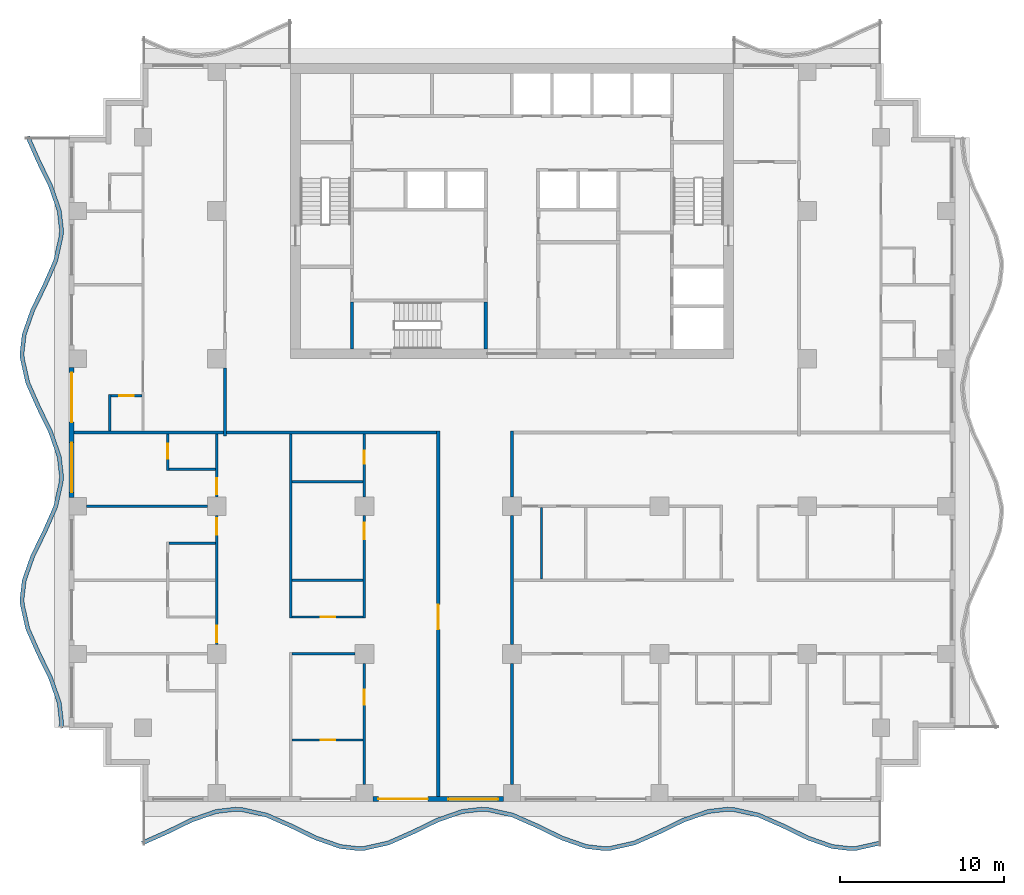
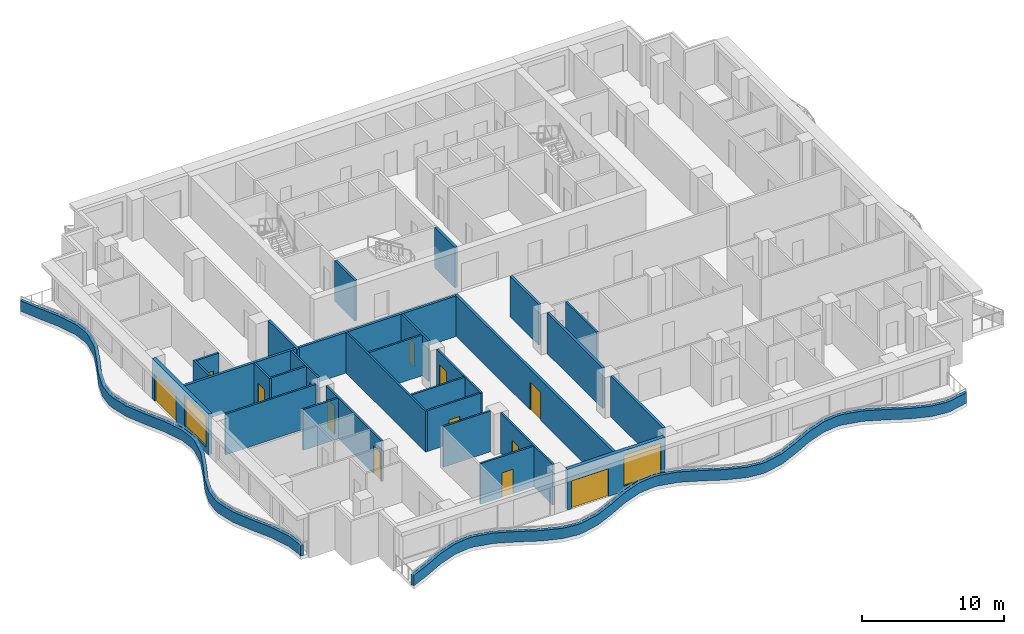
# One storey, part 2 of 11: 31 walls, 13 doors, 2 windows, 15 openings.
"""IFC4 building model written with IfcOpenShell, lengths in metres."""

import ifcopenshell
import ifcopenshell.guid

model = None  # the IFC model being written
_history = None  # IfcOwnerHistory: only IFC2X3 demands one
_inside = {}  # id of a spatial element -> (the spatial element, [elements in it])
_under = {}  # id of a project, library or spatial element -> (it, [spatial elements below it])
_declared = {}  # id of a project -> (the project, [libraries it declares])
_typed = {}  # id of a type object -> (the type object, [elements of that type])
_made_of = {}  # id of a material, layer set ... -> (it, [elements and type objects made of it])


def new_model(schema):
    """Start an empty IFC model of exactly this schema.

    Asked for "IFC4X3", IfcOpenShell would pick the latest addendum, in which some entities
    have other attributes; the version numbers below select the first issue.
    IFC2X3 requires an IfcOwnerHistory on every rooted entity: one is made here for all.
    """
    global model, _history
    if schema == "IFC4X3":
        model = ifcopenshell.file(schema_version=(4, 3, 0, 0))
    else:
        model = ifcopenshell.file(schema=schema)
    _inside.clear()
    _under.clear()
    _declared.clear()
    _typed.clear()
    _made_of.clear()
    _history = None
    if model.schema == "IFC2X3":
        org = make("IfcOrganization", Name="unknown")
        user = make(
            "IfcPersonAndOrganization",
            ThePerson=make("IfcPerson", FamilyName="unknown"),
            TheOrganization=org,
        )
        app = make(
            "IfcApplication",
            ApplicationDeveloper=org,
            Version="unknown",
            ApplicationFullName="unknown",
            ApplicationIdentifier="unknown",
        )
        _history = make(
            "IfcOwnerHistory",
            OwningUser=user,
            OwningApplication=app,
            ChangeAction="ADDED",
            CreationDate=0,
        )
    return model


def make(cls, **values):
    """One entity of the class cls with the attributes given. An attribute that is None is left unset."""
    return model.create_entity(
        cls, **{name: value for name, value in values.items() if value is not None}
    )


def rooted(cls, **values):
    """An entity with a GlobalId (a new one), such as an element, a storey or a relation."""
    return make(cls, GlobalId=ifcopenshell.guid.new(), OwnerHistory=_history, **values)


def si_unit(unit_type, name, prefix=None):
    """IfcSIUnit, for example si_unit("LENGTHUNIT", "METRE", prefix="MILLI")."""
    return make("IfcSIUnit", UnitType=unit_type, Prefix=prefix, Name=name)


def assignment(units):
    """IfcUnitAssignment: the units of a project."""
    return None if units is None else make("IfcUnitAssignment", Units=units)


def point(xyz):
    """IfcCartesianPoint."""
    return None if xyz is None else make("IfcCartesianPoint", Coordinates=xyz)


def direction(xyz):
    """IfcDirection."""
    return None if xyz is None else make("IfcDirection", DirectionRatios=xyz)


def frame(location, z_axis=None, x_axis=None):
    """IfcAxis2Placement3D, a coordinate frame: its origin and axes. An axis left out is left unset."""
    return make(
        "IfcAxis2Placement3D",
        Location=point(location),
        Axis=direction(z_axis),
        RefDirection=direction(x_axis),
    )


def frame_2d(location, x_axis=None):
    """IfcAxis2Placement2D, a coordinate frame in the plane: its origin and x axis."""
    return make(
        "IfcAxis2Placement2D", Location=point(location), RefDirection=direction(x_axis)
    )


def origin():
    """The frame at (0, 0, 0) with its axes left unset."""
    return frame((0.0, 0.0, 0.0))


def place(relative_to, where):
    """IfcLocalPlacement: puts the frame where relative to a parent placement (None: the world)."""
    return make(
        "IfcLocalPlacement", PlacementRelTo=relative_to, RelativePlacement=where
    )


def context(
    kind, dimensions, precision=None, world=None, true_north=None, identifier=None
):
    """IfcGeometricRepresentationContext, for example the 3D "Model" context."""
    return make(
        "IfcGeometricRepresentationContext",
        ContextIdentifier=identifier,
        ContextType=kind,
        CoordinateSpaceDimension=dimensions,
        Precision=precision,
        WorldCoordinateSystem=world,
        TrueNorth=true_north,
    )


def subcontext(parent, identifier, kind, view, scale=None):
    """IfcGeometricRepresentationSubContext, for example "Body" below "Model"."""
    return make(
        "IfcGeometricRepresentationSubContext",
        ContextIdentifier=identifier,
        ContextType=kind,
        ParentContext=parent,
        TargetScale=scale,
        TargetView=view,
    )


def project(units=None, contexts=None):
    """IfcProject with its units and contexts."""
    return rooted(
        "IfcProject",
        Name="project",
        RepresentationContexts=contexts,
        UnitsInContext=assignment(units),
    )


def spatial(cls, under=None, at=None, **own):
    """A site, building, storey or space (cls), placed at a placement, below another one or the project."""
    s = rooted(cls, ObjectPlacement=at, **own)
    if under is not None:
        _under.setdefault(under.id(), (under, []))[1].append(s)
    return s


def polyline(points):
    """IfcPolyline through the points."""
    return make("IfcPolyline", Points=[point(p) for p in points])


def profile(cls, at=None, kind="AREA", **sizes):
    """A parametric profile (cls). Its sizes go by their IFC names, for example OverallWidth=200.0."""
    return make(cls, ProfileType=kind, Position=at, **sizes)


def rectangle(**sizes):
    """IfcRectangleProfileDef."""
    return profile("IfcRectangleProfileDef", **sizes)


def outline(outer, holes=None, kind="AREA"):
    """IfcArbitraryClosedProfileDef: a profile drawn as a closed curve; with holes, ...WithVoids."""
    if holes is None:
        return make("IfcArbitraryClosedProfileDef", ProfileType=kind, OuterCurve=outer)
    return make(
        "IfcArbitraryProfileDefWithVoids",
        ProfileType=kind,
        OuterCurve=outer,
        InnerCurves=holes,
    )


def extrude(swept, where, along, depth):
    """IfcExtrudedAreaSolid: the profile swept, set in the frame where, extruded along a direction by depth."""
    return make(
        "IfcExtrudedAreaSolid",
        SweptArea=swept,
        Position=where,
        ExtrudedDirection=direction(along),
        Depth=depth,
    )


def shape(context_of_items, identifier, shape_type, items):
    """IfcShapeRepresentation: the items that make up one representation, for example the "Body"."""
    return make(
        "IfcShapeRepresentation",
        ContextOfItems=context_of_items,
        RepresentationIdentifier=identifier,
        RepresentationType=shape_type,
        Items=items,
    )


def material(Name=None, Category=None):
    """IfcMaterial."""
    return make("IfcMaterial", Name=Name, Category=Category)


def layer(
    of_material, thickness, ventilated=None, Name=None, Category=None, Priority=None
):
    """IfcMaterialLayer: one layer of a wall or slab, of a material (None: an air gap)."""
    return make(
        "IfcMaterialLayer",
        Material=of_material,
        LayerThickness=thickness,
        IsVentilated=ventilated,
        Name=Name,
        Category=Category,
        Priority=Priority,
    )


def layer_set(layers, Name=None):
    """IfcMaterialLayerSet."""
    return make("IfcMaterialLayerSet", MaterialLayers=layers, LayerSetName=Name)


def made_of(thing, what):
    """Note that an element or type object is made of a material, layer set ...; save() writes the relation."""
    if what is not None:
        _made_of.setdefault(what.id(), (what, []))[1].append(thing)
    return thing


def type_object(cls, material=None, **own):
    """A type object (cls), such as IfcWallType, which elements share."""
    return made_of(rooted(cls, **own), material)


def element(
    cls,
    number,
    at=None,
    inside=None,
    cuts=None,
    type_object=None,
    material=None,
    context=None,
    identifier="Body",
    shape_type=None,
    held_by="IfcProductDefinitionShape",
    body=None,
    shapes=None,
    **own,
):
    """One element of the class cls, such as IfcWall. Its Tag is "e" and its number.

    at: its placement. inside: the storey or other place that contains it. cuts: it is an
    opening in that element (IfcRelVoidsElement). A single representation is given by context,
    identifier, shape_type and body (its items); several are given by shapes. held_by: the class
    of the entity that holds the representations. save() writes the other relations.
    """
    e = rooted(cls, Tag="e%d" % number, ObjectPlacement=at, **own)
    if body is not None:
        shapes = [shape(context, identifier, shape_type, body)]
    if shapes is not None:
        e.Representation = make(held_by, Representations=shapes)
    if inside is not None:
        _inside.setdefault(inside.id(), (inside, []))[1].append(e)
    if cuts is not None:
        rooted(
            "IfcRelVoidsElement", RelatingBuildingElement=cuts, RelatedOpeningElement=e
        )
    if type_object is not None:
        _typed.setdefault(type_object.id(), (type_object, []))[1].append(e)
    return made_of(e, material)


def fill(opening, filler):
    """IfcRelFillsElement: the door or window that sits in an opening."""
    return rooted(
        "IfcRelFillsElement",
        RelatingOpeningElement=opening,
        RelatedBuildingElement=filler,
    )


def aggregate(whole, parts):
    """IfcRelAggregates: a whole, such as a stair, and the parts it consists of."""
    return rooted("IfcRelAggregates", RelatingObject=whole, RelatedObjects=parts)


def save(model, path):
    """Write the relations noted so far, then the file.

    IfcRelAggregates (storeys below a building ...), IfcRelContainedInSpatialStructure (elements
    in a storey), IfcRelDefinesByType, IfcRelAssociatesMaterial and IfcRelDeclares: one each for
    every whole, place, type object, material and project.
    """
    for whole, parts in _under.values():
        aggregate(whole, parts)
    for where, things in _inside.values():
        rooted(
            "IfcRelContainedInSpatialStructure",
            RelatedElements=things,
            RelatingStructure=where,
        )
    for kind, things in _typed.values():
        rooted("IfcRelDefinesByType", RelatedObjects=things, RelatingType=kind)
    for what, things in _made_of.values():
        rooted("IfcRelAssociatesMaterial", RelatedObjects=things, RelatingMaterial=what)
    for by, libraries in _declared.values():
        rooted("IfcRelDeclares", RelatingContext=by, RelatedDefinitions=libraries)
    model.write(path)


model = new_model("IFC4")

# Units and contexts
model_context = context("Model", 3, precision=1e-05, world=origin(), true_north=direction((0.0, 1.0)))
body_context = subcontext(model_context, "Body", "Model", "MODEL_VIEW")
ifc_project = project(units=[si_unit("LENGTHUNIT", "METRE"), si_unit("AREAUNIT", "SQUARE_METRE"), si_unit("VOLUMEUNIT", "CUBIC_METRE"), si_unit("PLANEANGLEUNIT", "RADIAN"), si_unit("MASSUNIT", "GRAM", prefix="KILO")], contexts=[model_context])

# Site, building, storey
site_placement = place(None, origin())
site = spatial("IfcSite", under=ifc_project, at=site_placement, CompositionType="ELEMENT")
building_placement = place(site_placement, origin())
building = spatial("IfcBuilding", under=site, at=building_placement, Name="Orbiselva Terraces", CompositionType="ELEMENT")
storey_placement = place(building_placement, frame((0.0, 0.0, 192.0)))
storey = spatial("IfcBuildingStorey", under=building, at=storey_placement, Name="L48", CompositionType="ELEMENT", Elevation=192.0)

# Walls
ifc_material_1 = material(Name="Concrete C60/75", Category="concrete")
ifc_layer_1 = layer(ifc_material_1, 0.2)
ifc_layer_set_1 = layer_set([ifc_layer_1], Name="Concrete C60/75")
wall_type_1 = type_object("IfcWallType", Name="CORE-WALL-SHEAR-200", PredefinedType="SHEAR", material=ifc_layer_set_1)
for number, where, z_axis, x_axis, name in (
    (1, (-9.75, 5.1, 0.0), (0.0, 0.0, 1.0), (0.0, 1.0, 0.0), "L48 core wall 03"),
    (2, (-1.6, 5.1, 0.0), (0.0, 0.0, 1.0), (0.0, 1.0, 0.0), "L48 core wall 17"),
):
    element("IfcWall", number, at=place(storey_placement, frame(where, z_axis=z_axis, x_axis=x_axis)), inside=storey, type_object=wall_type_1, Name=name, PredefinedType="SHEAR", context=body_context, shape_type="SweptSolid", body=[
        extrude(rectangle(XDim=2.85, YDim=0.2, at=frame_2d((1.425, 0.0))), origin(), (0.0, 0.0, 1.0), 3.5),
    ])
ifc_material_2 = material(Name="Concrete C40/50", Category="concrete")
ifc_layer_2 = layer(ifc_material_2, 0.25)
ifc_layer_set_2 = layer_set([ifc_layer_2], Name="Concrete C40/50")
wall_type_2 = type_object("IfcWallType", Name="ENV-PLANTER-250x900", PredefinedType="USERDEFINED", material=ifc_layer_set_2)
wall_1_placement = place(storey_placement, origin())
element("IfcWall", 3, at=wall_1_placement, inside=storey, type_object=wall_type_2, Name="Balcony planter L48 S", ObjectType="PLANTER", PredefinedType="USERDEFINED", context=body_context, shape_type="SweptSolid", body=[
    extrude(outline(polyline([(-22.5, -25.148528), (-21.0, -24.487721), (-19.5, -23.755211), (-18.0, -23.230792), (-16.875, -23.1), (-16.5, -23.114774), (-15.0, -23.451472), (-13.5, -24.112279), (-12.0, -24.844789), (-10.5, -25.369208), (-9.375, -25.5), (-9.0, -25.485226), (-7.5, -25.148528), (-6.0, -24.487721), (-4.5, -23.755211), (-3.0, -23.230792), (-1.875, -23.1), (-1.5, -23.114774), (0.0, -23.451472), (1.5, -24.112279), (3.0, -24.844789), (4.5, -25.369208), (5.625, -25.5), (6.0, -25.485226), (7.5, -25.148528), (9.0, -24.487721), (10.5, -23.755211), (12.0, -23.230792), (13.125, -23.1), (13.5, -23.114774), (15.0, -23.451472), (16.5, -24.112279), (18.0, -24.844789), (19.5, -25.369208), (20.625, -25.5), (21.0, -25.485226), (22.5, -25.148528), (22.445246, -24.904598), (20.967435, -25.236315), (20.634572, -25.249429), (19.556371, -25.124078), (18.09644, -24.613667), (16.605286, -23.885477), (15.078508, -23.212874), (13.532565, -22.865863), (13.115428, -22.849429), (11.943629, -22.985662), (10.40356, -23.524089), (8.894714, -24.260919), (7.421492, -24.90993), (5.967435, -25.236315), (5.634572, -25.249429), (4.556371, -25.124078), (3.09644, -24.613667), (1.605286, -23.885477), (0.078508, -23.212874), (-1.467435, -22.865863), (-1.884572, -22.849429), (-3.056371, -22.985662), (-4.59644, -23.524089), (-6.105286, -24.260919), (-7.578508, -24.90993), (-9.032565, -25.236315), (-9.365428, -25.249429), (-10.443629, -25.124078), (-11.90356, -24.613667), (-13.394714, -23.885477), (-14.921492, -23.212874), (-16.467435, -22.865863), (-16.884572, -22.849429), (-18.056371, -22.985662), (-19.59644, -23.524089), (-21.105286, -24.260919), (-22.600788, -24.919745), (-22.5, -25.148528)])), origin(), (0.0, 0.0, 1.0), 0.9),
])
wall_2_placement = place(storey_placement, origin())
element("IfcWall", 4, at=wall_2_placement, inside=storey, type_object=wall_type_2, Name="Balcony planter L48 W", ObjectType="PLANTER", PredefinedType="USERDEFINED", context=body_context, shape_type="SweptSolid", body=[
    extrude(outline(polyline([(-29.648528, 18.0), (-28.987721, 16.5), (-28.255211, 15.0), (-27.730792, 13.5), (-27.6, 12.375), (-27.614774, 12.0), (-27.951472, 10.5), (-28.612279, 9.0), (-29.344789, 7.5), (-29.869208, 6.0), (-30.0, 4.875), (-29.985226, 4.5), (-29.648528, 3.0), (-28.987721, 1.5), (-28.255211, 0.0), (-27.730792, -1.5), (-27.6, -2.625), (-27.614774, -3.0), (-27.951472, -4.5), (-28.612279, -6.0), (-29.344789, -7.5), (-29.869208, -9.0), (-30.0, -10.125), (-29.985226, -10.5), (-29.648528, -12.0), (-28.987721, -13.5), (-28.255211, -15.0), (-27.730792, -16.5), (-27.6, -17.625), (-27.614774, -18.0), (-27.364968, -18.009842), (-27.349429, -17.615428), (-27.485662, -16.443629), (-28.024089, -14.90356), (-28.760919, -13.394714), (-29.40993, -11.921492), (-29.736315, -10.467435), (-29.749429, -10.134572), (-29.624078, -9.056371), (-29.113667, -7.59644), (-28.385477, -6.105286), (-27.712874, -4.578508), (-27.365863, -3.032565), (-27.349429, -2.615428), (-27.485662, -1.443629), (-28.024089, 0.09644), (-28.760919, 1.605286), (-29.40993, 3.078508), (-29.736315, 4.532565), (-29.749429, 4.865428), (-29.624078, 5.943629), (-29.113667, 7.40356), (-28.385477, 8.894714), (-27.712874, 10.421492), (-27.365863, 11.967435), (-27.349429, 12.384572), (-27.485662, 13.556371), (-28.024089, 15.09644), (-28.760919, 16.605286), (-29.419745, 18.100788), (-29.648528, 18.0)])), origin(), (0.0, 0.0, 1.0), 0.9),
])

# Wall, openings, door, window
ifc_material_3 = material(Name="Terracotta cladding on masonry backing", Category="masonry")
ifc_layer_3 = layer(ifc_material_3, 0.3)
ifc_layer_set_3 = layer_set([ifc_layer_3], Name="Terracotta cladding on masonry backing")
wall_type_3 = type_object("IfcWallType", Name="ENV-WALL-TERRACOTTA-300", PredefinedType="SOLIDWALL", material=ifc_layer_set_3)
wall_3_placement = place(storey_placement, frame((-0.525, -22.35, 0.0), z_axis=(0.0, 0.0, 1.0), x_axis=(-1.0, 0.0, 0.0)))
wall_3 = element("IfcWall", 5, at=wall_3_placement, inside=storey, type_object=wall_type_3, Name="Facade wall L48 S", PredefinedType="SOLIDWALL", context=body_context, shape_type="SweptSolid", body=[
    extrude(rectangle(XDim=7.95, YDim=0.3, at=frame_2d((3.975, 0.0))), origin(), (0.0, 0.0, 1.0), 3.5),
])
opening_1_placement = place(wall_3_placement, frame((4.6, 0.0, 0.0)))
opening_1 = element("IfcOpeningElement", 6, at=opening_1_placement, cuts=wall_3, Name="Opening Z4-A-E02", PredefinedType="OPENING", context=body_context, shape_type="SweptSolid", body=[
    extrude(rectangle(XDim=3.025, YDim=2.4, at=frame_2d((1.5125, 1.2))), frame((0.0, 0.16, 0.0), z_axis=(0.0, -1.0, 0.0), x_axis=(1.0, 0.0, 0.0)), (0.0, 0.0, 1.0), 0.32),
])
opening_2_placement = place(wall_3_placement, frame((0.325, 0.0, 0.45)))
opening_2 = element("IfcOpeningElement", 7, at=opening_2_placement, cuts=wall_3, Name="Opening WN14", PredefinedType="OPENING", context=body_context, shape_type="SweptSolid", body=[
    extrude(rectangle(XDim=3.025, YDim=2.65, at=frame_2d((1.5125, 1.325))), frame((0.0, 0.16, 0.0), z_axis=(0.0, -1.0, 0.0), x_axis=(1.0, 0.0, 0.0)), (0.0, 0.0, 1.0), 0.32),
])
ifc_material_4 = material(Name="Clear low-e glazing in aluminium frame", Category="aluminium")
door_type_1 = type_object("IfcDoorType", Name="BALCONY DOOR 3025 X 2400", OperationType="DOUBLE_DOOR_SLIDING", PredefinedType="DOOR", material=ifc_material_4)
door_1_placement = place(opening_1_placement, origin())
door_1 = element("IfcDoor", 8, at=door_1_placement, inside=storey, type_object=door_type_1, Name="Z4-A-E02", OperationType="SINGLE_SWING_LEFT", OverallHeight=2.4, OverallWidth=3.025, PredefinedType="DOOR", context=body_context, shape_type="SweptSolid", body=[
    extrude(rectangle(XDim=3.025, YDim=2.4, at=frame_2d((1.5125, 1.2))), frame((0.0, 0.025, 0.0), z_axis=(0.0, -1.0, 0.0), x_axis=(1.0, 0.0, 0.0)), (0.0, 0.0, 1.0), 0.05),
])
fill(opening_1, door_1)
window_type = type_object("IfcWindowType", Name="WINDOW 3025 X 2650 S450", PartitioningType="TRIPLE_PANEL_VERTICAL", PredefinedType="WINDOW", material=ifc_material_4)
window_1_placement = place(opening_2_placement, origin())
window_1 = element("IfcWindow", 9, at=window_1_placement, inside=storey, type_object=window_type, Name="Window L48 S", OverallHeight=2.65, OverallWidth=3.025, PartitioningType="SINGLE_PANEL", PredefinedType="WINDOW", context=body_context, shape_type="SweptSolid", body=[
    extrude(rectangle(XDim=3.025, YDim=2.65, at=frame_2d((1.5125, 1.325))), frame((0.0, 0.03, 0.0), z_axis=(0.0, -1.0, 0.0), x_axis=(1.0, 0.0, 0.0)), (0.0, 0.0, 1.0), 0.06),
])
fill(opening_2, window_1)

wall_4_placement = place(storey_placement, frame((-26.85, -3.975, 0.0), z_axis=(0.0, 0.0, 1.0), x_axis=(0.0, 1.0, 0.0)))
wall_4 = element("IfcWall", 10, at=wall_4_placement, inside=storey, type_object=wall_type_3, Name="Facade wall L48 W", PredefinedType="SOLIDWALL", context=body_context, shape_type="SweptSolid", body=[
    extrude(rectangle(XDim=7.95, YDim=0.3, at=frame_2d((3.975, 0.0))), origin(), (0.0, 0.0, 1.0), 3.5),
])
opening_3_placement = place(wall_4_placement, frame((4.6, 0.0, 0.0)))
opening_3 = element("IfcOpeningElement", 11, at=opening_3_placement, cuts=wall_4, Name="Opening Z4-A-E12", PredefinedType="OPENING", context=body_context, shape_type="SweptSolid", body=[
    extrude(rectangle(XDim=3.025, YDim=2.4, at=frame_2d((1.5125, 1.2))), frame((0.0, 0.16, 0.0), z_axis=(0.0, -1.0, 0.0), x_axis=(1.0, 0.0, 0.0)), (0.0, 0.0, 1.0), 0.32),
])
opening_4_placement = place(wall_4_placement, frame((0.325, 0.0, 0.45)))
opening_4 = element("IfcOpeningElement", 12, at=opening_4_placement, cuts=wall_4, Name="Opening WN14", PredefinedType="OPENING", context=body_context, shape_type="SweptSolid", body=[
    extrude(rectangle(XDim=3.025, YDim=2.65, at=frame_2d((1.5125, 1.325))), frame((0.0, 0.16, 0.0), z_axis=(0.0, -1.0, 0.0), x_axis=(1.0, 0.0, 0.0)), (0.0, 0.0, 1.0), 0.32),
])
door_2_placement = place(opening_3_placement, origin())
door_2 = element("IfcDoor", 13, at=door_2_placement, inside=storey, type_object=door_type_1, Name="Z4-A-E12", OperationType="SINGLE_SWING_LEFT", OverallHeight=2.4, OverallWidth=3.025, PredefinedType="DOOR", context=body_context, shape_type="SweptSolid", body=[
    extrude(rectangle(XDim=3.025, YDim=2.4, at=frame_2d((1.5125, 1.2))), frame((0.0, 0.025, 0.0), z_axis=(0.0, -1.0, 0.0), x_axis=(1.0, 0.0, 0.0)), (0.0, 0.0, 1.0), 0.05),
])
fill(opening_3, door_2)
window_2_placement = place(opening_4_placement, origin())
window_2 = element("IfcWindow", 14, at=window_2_placement, inside=storey, type_object=window_type, Name="Window L48 W", OverallHeight=2.65, OverallWidth=3.025, PartitioningType="SINGLE_PANEL", PredefinedType="WINDOW", context=body_context, shape_type="SweptSolid", body=[
    extrude(rectangle(XDim=3.025, YDim=2.65, at=frame_2d((1.5125, 1.325))), frame((0.0, 0.03, 0.0), z_axis=(0.0, -1.0, 0.0), x_axis=(1.0, 0.0, 0.0)), (0.0, 0.0, 1.0), 0.06),
])
fill(opening_4, window_2)

# Walls
ifc_material_5 = material(Name="Plasterboard on steel stud partition", Category="steel")
ifc_layer_4 = layer(ifc_material_5, 0.2)
ifc_layer_set_4 = layer_set([ifc_layer_4], Name="Plasterboard on steel stud partition")
wall_type_4 = type_object("IfcWallType", Name="UNIT-ENTRANCE-WALL-200", PredefinedType="PARTITIONING", material=ifc_layer_set_4)
wall_5_placement = place(storey_placement, frame((-17.4, 0.0, 0.0), z_axis=(0.0, 0.0, 1.0), x_axis=(1.0, 0.0, 0.0)))
element("IfcWall", 15, at=wall_5_placement, inside=storey, type_object=wall_type_4, Name="PARTITION L48-027", PredefinedType="PARTITIONING", context=body_context, shape_type="SweptSolid", body=[
    extrude(rectangle(XDim=12.8, YDim=0.2, at=frame_2d((6.4, 0.0))), origin(), (0.0, 0.0, 1.0), 3.5),
])
wall_6_placement = place(storey_placement, frame((-17.5, -0.2, 0.0), z_axis=(0.0, 0.0, 1.0), x_axis=(0.0, 1.0, 0.0)))
element("IfcWall", 16, at=wall_6_placement, inside=storey, type_object=wall_type_4, Name="PARTITION L48-050", PredefinedType="PARTITIONING", context=body_context, shape_type="SweptSolid", body=[
    extrude(rectangle(XDim=4.125, YDim=0.2, at=frame_2d((2.0625, 0.0))), origin(), (0.0, 0.0, 1.0), 3.5),
])

# Wall, opening, door
wall_7_placement = place(storey_placement, frame((-4.5, -22.2, 0.0), z_axis=(0.0, 0.0, 1.0), x_axis=(0.0, 1.0, 0.0)))
wall_7 = element("IfcWall", 17, at=wall_7_placement, inside=storey, type_object=wall_type_4, Name="PARTITION L48-058", PredefinedType="PARTITIONING", context=body_context, shape_type="SweptSolid", body=[
    extrude(rectangle(XDim=22.3, YDim=0.2, at=frame_2d((11.15, 0.0))), origin(), (0.0, 0.0, 1.0), 3.5),
])
opening_5_placement = place(wall_7_placement, frame((10.2, 0.0, 0.0)))
opening_5 = element("IfcOpeningElement", 18, at=opening_5_placement, cuts=wall_7, Name="Opening Z4-A-14", PredefinedType="OPENING", context=body_context, shape_type="SweptSolid", body=[
    extrude(rectangle(XDim=1.5, YDim=2.4, at=frame_2d((0.75, 1.2))), frame((0.0, 0.11, 0.0), z_axis=(0.0, -1.0, 0.0), x_axis=(1.0, 0.0, 0.0)), (0.0, 0.0, 1.0), 0.22),
])
ifc_material_6 = material(Name="Painted timber door leaf", Category="wood")
door_type_2 = type_object("IfcDoorType", Name="ENTRANCE DOUBLE DOOR 1500", OperationType="NOTDEFINED", PredefinedType="DOOR", material=ifc_material_6)
door_3_placement = place(opening_5_placement, origin())
door_3 = element("IfcDoor", 19, at=door_3_placement, inside=storey, type_object=door_type_2, Name="Z4-A-14", OperationType="DOUBLE_DOOR_SINGLE_SWING", OverallHeight=2.4, OverallWidth=1.5, PredefinedType="DOOR", context=body_context, shape_type="SweptSolid", body=[
    extrude(rectangle(XDim=1.5, YDim=2.4, at=frame_2d((0.75, 1.2))), frame((0.0, 0.025, 0.0), z_axis=(0.0, -1.0, 0.0), x_axis=(1.0, 0.0, 0.0)), (0.0, 0.0, 1.0), 0.05),
])
fill(opening_5, door_3)

# Walls
wall_8_placement = place(storey_placement, frame((0.0, -21.45, 0.0), z_axis=(0.0, 0.0, 1.0), x_axis=(0.0, 1.0, 0.0)))
element("IfcWall", 20, at=wall_8_placement, inside=storey, type_object=wall_type_4, Name="PARTITION L48-059", PredefinedType="PARTITIONING", context=body_context, shape_type="SweptSolid", body=[
    extrude(rectangle(XDim=7.375, YDim=0.2, at=frame_2d((3.6875, 0.0))), origin(), (0.0, 0.0, 1.0), 3.5),
])
wall_9_placement = place(storey_placement, frame((0.0, -12.925, 0.0), z_axis=(0.0, 0.0, 1.0), x_axis=(0.0, 1.0, 0.0)))
element("IfcWall", 21, at=wall_9_placement, inside=storey, type_object=wall_type_4, Name="PARTITION L48-060", PredefinedType="PARTITIONING", context=body_context, shape_type="SweptSolid", body=[
    extrude(rectangle(XDim=7.85, YDim=0.2, at=frame_2d((3.925, 0.0))), origin(), (0.0, 0.0, 1.0), 3.5),
])
wall_10_placement = place(storey_placement, frame((0.0, -3.925, 0.0), z_axis=(0.0, 0.0, 1.0), x_axis=(0.0, 1.0, 0.0)))
element("IfcWall", 22, at=wall_10_placement, inside=storey, type_object=wall_type_4, Name="PARTITION L48-061", PredefinedType="PARTITIONING", context=body_context, shape_type="SweptSolid", body=[
    extrude(rectangle(XDim=4.025, YDim=0.2, at=frame_2d((2.0125, 0.0))), origin(), (0.0, 0.0, 1.0), 3.5),
])

# Wall, opening, door
ifc_layer_5 = layer(ifc_material_5, 0.15)
ifc_layer_set_5 = layer_set([ifc_layer_5], Name="Plasterboard on steel stud partition")
wall_type_5 = type_object("IfcWallType", Name="UNIT-PARTITION-150", PredefinedType="PARTITIONING", material=ifc_layer_set_5)
wall_11_placement = place(storey_placement, frame((-9.075, -18.75, 0.0), z_axis=(0.0, 0.0, 1.0), x_axis=(-1.0, 0.0, 0.0)))
wall_11 = element("IfcWall", 23, at=wall_11_placement, inside=storey, type_object=wall_type_5, Name="PARTITION L48-001", PredefinedType="PARTITIONING", context=body_context, shape_type="SweptSolid", body=[
    extrude(rectangle(XDim=4.35, YDim=0.15, at=frame_2d((2.175, 0.0))), origin(), (0.0, 0.0, 1.0), 3.5),
])
opening_6_placement = place(wall_11_placement, frame((1.7, 0.0, 0.0)))
opening_6 = element("IfcOpeningElement", 24, at=opening_6_placement, cuts=wall_11, Name="Opening Z4-A-19", PredefinedType="OPENING", context=body_context, shape_type="SweptSolid", body=[
    extrude(rectangle(XDim=0.9, YDim=2.1, at=frame_2d((0.45, 1.05))), frame((0.0, 0.085, 0.0), z_axis=(0.0, -1.0, 0.0), x_axis=(1.0, 0.0, 0.0)), (0.0, 0.0, 1.0), 0.17),
])
door_type_3 = type_object("IfcDoorType", Name="BATH DOOR 900", OperationType="NOTDEFINED", PredefinedType="DOOR", material=ifc_material_6)
door_4_placement = place(opening_6_placement, origin())
door_4 = element("IfcDoor", 25, at=door_4_placement, inside=storey, type_object=door_type_3, Name="Z4-A-19", OperationType="SINGLE_SWING_LEFT", OverallHeight=2.1, OverallWidth=0.9, PredefinedType="DOOR", context=body_context, shape_type="SweptSolid", body=[
    extrude(rectangle(XDim=0.9, YDim=2.1, at=frame_2d((0.45, 1.05))), frame((0.0, 0.025, 0.0), z_axis=(0.0, -1.0, 0.0), x_axis=(1.0, 0.0, 0.0)), (0.0, 0.0, 1.0), 0.05),
])
fill(opening_6, door_4)

# Wall
wall_12_placement = place(storey_placement, frame((-13.425, -13.5, 0.0), z_axis=(0.0, 0.0, 1.0), x_axis=(1.0, 0.0, 0.0)))
element("IfcWall", 26, at=wall_12_placement, inside=storey, type_object=wall_type_5, Name="PARTITION L48-008", PredefinedType="PARTITIONING", context=body_context, shape_type="SweptSolid", body=[
    extrude(rectangle(XDim=3.85, YDim=0.15, at=frame_2d((1.925, 0.0))), origin(), (0.0, 0.0, 1.0), 3.5),
])

# Wall, opening, door
wall_13_placement = place(storey_placement, frame((-13.425, -11.25, 0.0), z_axis=(0.0, 0.0, 1.0), x_axis=(1.0, 0.0, 0.0)))
wall_13 = element("IfcWall", 27, at=wall_13_placement, inside=storey, type_object=wall_type_5, Name="PARTITION L48-013", PredefinedType="PARTITIONING", context=body_context, shape_type="SweptSolid", body=[
    extrude(rectangle(XDim=4.35, YDim=0.15, at=frame_2d((2.175, 0.0))), origin(), (0.0, 0.0, 1.0), 3.5),
])
opening_7_placement = place(wall_13_placement, frame((1.75, 0.0, 0.0)))
opening_7 = element("IfcOpeningElement", 28, at=opening_7_placement, cuts=wall_13, Name="Opening Z4-A-17", PredefinedType="OPENING", context=body_context, shape_type="SweptSolid", body=[
    extrude(rectangle(XDim=0.9, YDim=2.1, at=frame_2d((0.45, 1.05))), frame((0.0, 0.085, 0.0), z_axis=(0.0, -1.0, 0.0), x_axis=(1.0, 0.0, 0.0)), (0.0, 0.0, 1.0), 0.17),
])
door_5_placement = place(opening_7_placement, origin())
door_5 = element("IfcDoor", 29, at=door_5_placement, inside=storey, type_object=door_type_3, Name="Z4-A-17", OperationType="SINGLE_SWING_RIGHT", OverallHeight=2.1, OverallWidth=0.9, PredefinedType="DOOR", context=body_context, shape_type="SweptSolid", body=[
    extrude(rectangle(XDim=0.9, YDim=2.1, at=frame_2d((0.45, 1.05))), frame((0.0, 0.025, 0.0), z_axis=(0.0, -1.0, 0.0), x_axis=(1.0, 0.0, 0.0)), (0.0, 0.0, 1.0), 0.05),
])
fill(opening_7, door_5)

# Walls
wall_14_placement = place(storey_placement, frame((-13.425, -9.0, 0.0), z_axis=(0.0, 0.0, 1.0), x_axis=(1.0, 0.0, 0.0)))
element("IfcWall", 30, at=wall_14_placement, inside=storey, type_object=wall_type_5, Name="PARTITION L48-016", PredefinedType="PARTITIONING", context=body_context, shape_type="SweptSolid", body=[
    extrude(rectangle(XDim=4.35, YDim=0.15, at=frame_2d((2.175, 0.0))), origin(), (0.0, 0.0, 1.0), 3.5),
])
wall_15_placement = place(storey_placement, frame((-20.925, -6.75, 0.0), z_axis=(0.0, 0.0, 1.0), x_axis=(1.0, 0.0, 0.0)))
element("IfcWall", 31, at=wall_15_placement, inside=storey, type_object=wall_type_5, Name="PARTITION L48-019", PredefinedType="PARTITIONING", context=body_context, shape_type="SweptSolid", body=[
    extrude(rectangle(XDim=2.85, YDim=0.15, at=frame_2d((1.425, 0.0))), origin(), (0.0, 0.0, 1.0), 3.5),
])
wall_16_placement = place(storey_placement, frame((-25.95, -4.5, 0.0), z_axis=(0.0, 0.0, 1.0), x_axis=(1.0, 0.0, 0.0)))
element("IfcWall", 32, at=wall_16_placement, inside=storey, type_object=wall_type_5, Name="PARTITION L48-020", PredefinedType="PARTITIONING", context=body_context, shape_type="SweptSolid", body=[
    extrude(rectangle(XDim=7.375, YDim=0.15, at=frame_2d((3.6875, 0.0))), origin(), (0.0, 0.0, 1.0), 3.5),
])
wall_17_placement = place(storey_placement, frame((-13.425, -3.0, 0.0), z_axis=(0.0, 0.0, 1.0), x_axis=(1.0, 0.0, 0.0)))
element("IfcWall", 33, at=wall_17_placement, inside=storey, type_object=wall_type_5, Name="PARTITION L48-025", PredefinedType="PARTITIONING", context=body_context, shape_type="SweptSolid", body=[
    extrude(rectangle(XDim=4.35, YDim=0.15, at=frame_2d((2.175, 0.0))), origin(), (0.0, 0.0, 1.0), 3.5),
])
wall_18_placement = place(storey_placement, frame((-20.925, -2.25, 0.0), z_axis=(0.0, 0.0, 1.0), x_axis=(1.0, 0.0, 0.0)))
element("IfcWall", 34, at=wall_18_placement, inside=storey, type_object=wall_type_5, Name="PARTITION L48-026", PredefinedType="PARTITIONING", context=body_context, shape_type="SweptSolid", body=[
    extrude(rectangle(XDim=2.85, YDim=0.15, at=frame_2d((1.425, 0.0))), origin(), (0.0, 0.0, 1.0), 3.5),
])

# Wall, opening, door
wall_19_placement = place(storey_placement, frame((-22.575, 2.25, 0.0), z_axis=(0.0, 0.0, 1.0), x_axis=(-1.0, 0.0, 0.0)))
wall_19 = element("IfcWall", 35, at=wall_19_placement, inside=storey, type_object=wall_type_5, Name="PARTITION L48-031", PredefinedType="PARTITIONING", context=body_context, shape_type="SweptSolid", body=[
    extrude(rectangle(XDim=1.875, YDim=0.15, at=frame_2d((0.9375, 0.0))), origin(), (0.0, 0.0, 1.0), 3.5),
])
opening_8_placement = place(wall_19_placement, frame((0.475, 0.0, 0.0)))
opening_8 = element("IfcOpeningElement", 36, at=opening_8_placement, cuts=wall_19, Name="Opening Z4-A-04", PredefinedType="OPENING", context=body_context, shape_type="SweptSolid", body=[
    extrude(rectangle(XDim=0.9, YDim=2.1, at=frame_2d((0.45, 1.05))), frame((0.0, 0.085, 0.0), z_axis=(0.0, -1.0, 0.0), x_axis=(1.0, 0.0, 0.0)), (0.0, 0.0, 1.0), 0.17),
])
door_6_placement = place(opening_8_placement, origin())
door_6 = element("IfcDoor", 37, at=door_6_placement, inside=storey, type_object=door_type_3, Name="Z4-A-04", OperationType="SINGLE_SWING_LEFT", OverallHeight=2.1, OverallWidth=0.9, PredefinedType="DOOR", context=body_context, shape_type="SweptSolid", body=[
    extrude(rectangle(XDim=0.9, YDim=2.1, at=frame_2d((0.45, 1.05))), frame((0.0, 0.025, 0.0), z_axis=(0.0, -1.0, 0.0), x_axis=(1.0, 0.0, 0.0)), (0.0, 0.0, 1.0), 0.05),
])
fill(opening_8, door_6)

# Wall
wall_20_placement = place(storey_placement, frame((-24.525, 0.1, 0.0), z_axis=(0.0, 0.0, 1.0), x_axis=(0.0, 1.0, 0.0)))
element("IfcWall", 38, at=wall_20_placement, inside=storey, type_object=wall_type_5, Name="PARTITION L48-040", PredefinedType="PARTITIONING", context=body_context, shape_type="SweptSolid", body=[
    extrude(rectangle(XDim=2.225, YDim=0.15, at=frame_2d((1.1125, 0.0))), origin(), (0.0, 0.0, 1.0), 3.5),
])

# Wall, opening, door
wall_21_placement = place(storey_placement, frame((-21.0, -0.1, 0.0), z_axis=(0.0, 0.0, 1.0), x_axis=(0.0, -1.0, 0.0)))
wall_21 = element("IfcWall", 39, at=wall_21_placement, inside=storey, type_object=wall_type_5, Name="PARTITION L48-046", PredefinedType="PARTITIONING", context=body_context, shape_type="SweptSolid", body=[
    extrude(rectangle(XDim=2.225, YDim=0.15, at=frame_2d((1.1125, 0.0))), origin(), (0.0, 0.0, 1.0), 3.5),
])
opening_9_placement = place(wall_21_placement, frame((0.6, 0.0, 0.0)))
opening_9 = element("IfcOpeningElement", 40, at=opening_9_placement, cuts=wall_21, Name="Opening Z4-A-21", PredefinedType="OPENING", context=body_context, shape_type="SweptSolid", body=[
    extrude(rectangle(XDim=0.9, YDim=2.1, at=frame_2d((0.45, 1.05))), frame((0.0, 0.085, 0.0), z_axis=(0.0, -1.0, 0.0), x_axis=(1.0, 0.0, 0.0)), (0.0, 0.0, 1.0), 0.17),
])
door_7_placement = place(opening_9_placement, origin())
door_7 = element("IfcDoor", 41, at=door_7_placement, inside=storey, type_object=door_type_3, Name="Z4-A-21", OperationType="SINGLE_SWING_LEFT", OverallHeight=2.1, OverallWidth=0.9, PredefinedType="DOOR", context=body_context, shape_type="SweptSolid", body=[
    extrude(rectangle(XDim=0.9, YDim=2.1, at=frame_2d((0.45, 1.05))), frame((0.0, 0.025, 0.0), z_axis=(0.0, -1.0, 0.0), x_axis=(1.0, 0.0, 0.0)), (0.0, 0.0, 1.0), 0.05),
])
fill(opening_9, door_7)

# Wall, openings, doors
wall_22_placement = place(storey_placement, frame((-18.0, -12.925, 0.0), z_axis=(0.0, 0.0, 1.0), x_axis=(0.0, 1.0, 0.0)))
wall_22 = element("IfcWall", 42, at=wall_22_placement, inside=storey, type_object=wall_type_5, Name="PARTITION L48-048", PredefinedType="PARTITIONING", context=body_context, shape_type="SweptSolid", body=[
    extrude(rectangle(XDim=7.85, YDim=0.15, at=frame_2d((3.925, 0.0))), origin(), (0.0, 0.0, 1.0), 3.5),
])
opening_10_placement = place(wall_22_placement, frame((6.7, 0.0, 0.0)))
opening_10 = element("IfcOpeningElement", 43, at=opening_10_placement, cuts=wall_22, Name="Opening Z4-A-22", PredefinedType="OPENING", context=body_context, shape_type="SweptSolid", body=[
    extrude(rectangle(XDim=1.0, YDim=2.4, at=frame_2d((0.5, 1.2))), frame((0.0, 0.085, 0.0), z_axis=(0.0, -1.0, 0.0), x_axis=(1.0, 0.0, 0.0)), (0.0, 0.0, 1.0), 0.17),
])
opening_11_placement = place(wall_22_placement, frame((0.15, 0.0, 0.0)))
opening_11 = element("IfcOpeningElement", 44, at=opening_11_placement, cuts=wall_22, Name="Opening Z4-A-24", PredefinedType="OPENING", context=body_context, shape_type="SweptSolid", body=[
    extrude(rectangle(XDim=1.0, YDim=2.4, at=frame_2d((0.5, 1.2))), frame((0.0, 0.085, 0.0), z_axis=(0.0, -1.0, 0.0), x_axis=(1.0, 0.0, 0.0)), (0.0, 0.0, 1.0), 0.17),
])
door_type_4 = type_object("IfcDoorType", Name="ROOM DOOR 1000", OperationType="NOTDEFINED", PredefinedType="DOOR", material=ifc_material_6)
door_8_placement = place(opening_10_placement, origin())
door_8 = element("IfcDoor", 45, at=door_8_placement, inside=storey, type_object=door_type_4, Name="Z4-A-22", OperationType="SINGLE_SWING_RIGHT", OverallHeight=2.4, OverallWidth=1.0, PredefinedType="DOOR", context=body_context, shape_type="SweptSolid", body=[
    extrude(rectangle(XDim=1.0, YDim=2.4, at=frame_2d((0.5, 1.2))), frame((0.0, 0.025, 0.0), z_axis=(0.0, -1.0, 0.0), x_axis=(1.0, 0.0, 0.0)), (0.0, 0.0, 1.0), 0.05),
])
fill(opening_10, door_8)
door_9_placement = place(opening_11_placement, origin())
door_9 = element("IfcDoor", 46, at=door_9_placement, inside=storey, type_object=door_type_4, Name="Z4-A-24", OperationType="SINGLE_SWING_LEFT", OverallHeight=2.4, OverallWidth=1.0, PredefinedType="DOOR", context=body_context, shape_type="SweptSolid", body=[
    extrude(rectangle(XDim=1.0, YDim=2.4, at=frame_2d((0.5, 1.2))), frame((0.0, 0.025, 0.0), z_axis=(0.0, -1.0, 0.0), x_axis=(1.0, 0.0, 0.0)), (0.0, 0.0, 1.0), 0.05),
])
fill(opening_11, door_9)

# Wall, opening, door
wall_23_placement = place(storey_placement, frame((-18.0, -3.925, 0.0), z_axis=(0.0, 0.0, 1.0), x_axis=(0.0, 1.0, 0.0)))
wall_23 = element("IfcWall", 47, at=wall_23_placement, inside=storey, type_object=wall_type_5, Name="PARTITION L48-049", PredefinedType="PARTITIONING", context=body_context, shape_type="SweptSolid", body=[
    extrude(rectangle(XDim=3.825, YDim=0.15, at=frame_2d((1.9125, 0.0))), origin(), (0.0, 0.0, 1.0), 3.5),
])
opening_12_placement = place(wall_23_placement, frame((0.15, 0.0, 0.0)))
opening_12 = element("IfcOpeningElement", 48, at=opening_12_placement, cuts=wall_23, Name="Opening Z4-A-20", PredefinedType="OPENING", context=body_context, shape_type="SweptSolid", body=[
    extrude(rectangle(XDim=1.0, YDim=2.4, at=frame_2d((0.5, 1.2))), frame((0.0, 0.085, 0.0), z_axis=(0.0, -1.0, 0.0), x_axis=(1.0, 0.0, 0.0)), (0.0, 0.0, 1.0), 0.17),
])
door_10_placement = place(opening_12_placement, origin())
door_10 = element("IfcDoor", 49, at=door_10_placement, inside=storey, type_object=door_type_4, Name="Z4-A-20", OperationType="SINGLE_SWING_LEFT", OverallHeight=2.4, OverallWidth=1.0, PredefinedType="DOOR", context=body_context, shape_type="SweptSolid", body=[
    extrude(rectangle(XDim=1.0, YDim=2.4, at=frame_2d((0.5, 1.2))), frame((0.0, 0.025, 0.0), z_axis=(0.0, -1.0, 0.0), x_axis=(1.0, 0.0, 0.0)), (0.0, 0.0, 1.0), 0.05),
])
fill(opening_12, door_10)

# Wall
wall_24_placement = place(storey_placement, frame((-13.5, -11.325, 0.0), z_axis=(0.0, 0.0, 1.0), x_axis=(0.0, 1.0, 0.0)))
element("IfcWall", 50, at=wall_24_placement, inside=storey, type_object=wall_type_5, Name="PARTITION L48-054", PredefinedType="PARTITIONING", context=body_context, shape_type="SweptSolid", body=[
    extrude(rectangle(XDim=11.225, YDim=0.15, at=frame_2d((5.6125, 0.0))), origin(), (0.0, 0.0, 1.0), 3.5),
])

# Wall, opening, door
wall_25_placement = place(storey_placement, frame((-9.0, -21.45, 0.0), z_axis=(0.0, 0.0, 1.0), x_axis=(0.0, 1.0, 0.0)))
wall_25 = element("IfcWall", 51, at=wall_25_placement, inside=storey, type_object=wall_type_5, Name="PARTITION L48-055", PredefinedType="PARTITIONING", context=body_context, shape_type="SweptSolid", body=[
    extrude(rectangle(XDim=7.375, YDim=0.15, at=frame_2d((3.6875, 0.0))), origin(), (0.0, 0.0, 1.0), 3.5),
])
opening_13_placement = place(wall_25_placement, frame((4.85, 0.0, 0.0)))
opening_13 = element("IfcOpeningElement", 52, at=opening_13_placement, cuts=wall_25, Name="Opening Z4-A-18", PredefinedType="OPENING", context=body_context, shape_type="SweptSolid", body=[
    extrude(rectangle(XDim=0.9, YDim=2.1, at=frame_2d((0.45, 1.05))), frame((0.0, 0.085, 0.0), z_axis=(0.0, -1.0, 0.0), x_axis=(1.0, 0.0, 0.0)), (0.0, 0.0, 1.0), 0.17),
])
door_type_5 = type_object("IfcDoorType", Name="SERVICE DOOR 900", OperationType="NOTDEFINED", PredefinedType="DOOR", material=ifc_material_6)
door_11_placement = place(opening_13_placement, origin())
door_11 = element("IfcDoor", 53, at=door_11_placement, inside=storey, type_object=door_type_5, Name="Z4-A-18", OperationType="SINGLE_SWING_RIGHT", OverallHeight=2.1, OverallWidth=0.9, PredefinedType="DOOR", context=body_context, shape_type="SweptSolid", body=[
    extrude(rectangle(XDim=0.9, YDim=2.1, at=frame_2d((0.45, 1.05))), frame((0.0, 0.025, 0.0), z_axis=(0.0, -1.0, 0.0), x_axis=(1.0, 0.0, 0.0)), (0.0, 0.0, 1.0), 0.05),
])
fill(opening_13, door_11)

wall_26_placement = place(storey_placement, frame((-9.0, -11.325, 0.0), z_axis=(0.0, 0.0, 1.0), x_axis=(0.0, 1.0, 0.0)))
wall_26 = element("IfcWall", 54, at=wall_26_placement, inside=storey, type_object=wall_type_5, Name="PARTITION L48-056", PredefinedType="PARTITIONING", context=body_context, shape_type="SweptSolid", body=[
    extrude(rectangle(XDim=6.25, YDim=0.15, at=frame_2d((3.125, 0.0))), origin(), (0.0, 0.0, 1.0), 3.5),
])
opening_14_placement = place(wall_26_placement, frame((4.825, 0.0, 0.0)))
opening_14 = element("IfcOpeningElement", 55, at=opening_14_placement, cuts=wall_26, Name="Opening Z4-A-16", PredefinedType="OPENING", context=body_context, shape_type="SweptSolid", body=[
    extrude(rectangle(XDim=1.0, YDim=2.4, at=frame_2d((0.5, 1.2))), frame((0.0, 0.085, 0.0), z_axis=(0.0, -1.0, 0.0), x_axis=(1.0, 0.0, 0.0)), (0.0, 0.0, 1.0), 0.17),
])
door_12_placement = place(opening_14_placement, origin())
door_12 = element("IfcDoor", 56, at=door_12_placement, inside=storey, type_object=door_type_4, Name="Z4-A-16", OperationType="SINGLE_SWING_RIGHT", OverallHeight=2.4, OverallWidth=1.0, PredefinedType="DOOR", context=body_context, shape_type="SweptSolid", body=[
    extrude(rectangle(XDim=1.0, YDim=2.4, at=frame_2d((0.5, 1.2))), frame((0.0, 0.025, 0.0), z_axis=(0.0, -1.0, 0.0), x_axis=(1.0, 0.0, 0.0)), (0.0, 0.0, 1.0), 0.05),
])
fill(opening_14, door_12)

wall_27_placement = place(storey_placement, frame((-9.0, -3.925, 0.0), z_axis=(0.0, 0.0, 1.0), x_axis=(0.0, 1.0, 0.0)))
wall_27 = element("IfcWall", 57, at=wall_27_placement, inside=storey, type_object=wall_type_5, Name="PARTITION L48-057", PredefinedType="PARTITIONING", context=body_context, shape_type="SweptSolid", body=[
    extrude(rectangle(XDim=3.825, YDim=0.15, at=frame_2d((1.9125, 0.0))), origin(), (0.0, 0.0, 1.0), 3.5),
])
opening_15_placement = place(wall_27_placement, frame((2.025, 0.0, 0.0)))
opening_15 = element("IfcOpeningElement", 58, at=opening_15_placement, cuts=wall_27, Name="Opening Z4-A-15", PredefinedType="OPENING", context=body_context, shape_type="SweptSolid", body=[
    extrude(rectangle(XDim=0.8, YDim=2.0, at=frame_2d((0.4, 1.0))), frame((0.0, 0.085, 0.0), z_axis=(0.0, -1.0, 0.0), x_axis=(1.0, 0.0, 0.0)), (0.0, 0.0, 1.0), 0.17),
])
door_type_6 = type_object("IfcDoorType", Name="STORE DOOR 800", OperationType="NOTDEFINED", PredefinedType="DOOR", material=ifc_material_6)
door_13_placement = place(opening_15_placement, origin())
door_13 = element("IfcDoor", 59, at=door_13_placement, inside=storey, type_object=door_type_6, Name="Z4-A-15", OperationType="SINGLE_SWING_RIGHT", OverallHeight=2.0, OverallWidth=0.8, PredefinedType="DOOR", context=body_context, shape_type="SweptSolid", body=[
    extrude(rectangle(XDim=0.8, YDim=2.0, at=frame_2d((0.4, 1.0))), frame((0.0, 0.025, 0.0), z_axis=(0.0, -1.0, 0.0), x_axis=(1.0, 0.0, 0.0)), (0.0, 0.0, 1.0), 0.05),
])
fill(opening_15, door_13)

# Walls
wall_28_placement = place(storey_placement, frame((1.8, -8.925, 0.0), z_axis=(0.0, 0.0, 1.0), x_axis=(0.0, 1.0, 0.0)))
element("IfcWall", 60, at=wall_28_placement, inside=storey, type_object=wall_type_5, Name="PARTITION L48-062", PredefinedType="PARTITIONING", context=body_context, shape_type="SweptSolid", body=[
    extrude(rectangle(XDim=4.35, YDim=0.15, at=frame_2d((2.175, 0.0))), origin(), (0.0, 0.0, 1.0), 3.5),
])
ifc_layer_6 = layer(ifc_material_5, 0.2)
ifc_layer_set_6 = layer_set([ifc_layer_6], Name="Plasterboard on steel stud partition")
wall_type_6 = type_object("IfcWallType", Name="UNIT-PARTY-WALL-200", PredefinedType="PARTITIONING", material=ifc_layer_set_6)
wall_29_placement = place(storey_placement, frame((-26.7, 0.0, 0.0), z_axis=(0.0, 0.0, 1.0), x_axis=(1.0, 0.0, 0.0)))
element("IfcWall", 61, at=wall_29_placement, inside=storey, type_object=wall_type_6, Name="PARTITION L48-029", PredefinedType="PARTITIONING", context=body_context, shape_type="SweptSolid", body=[
    extrude(rectangle(XDim=9.1, YDim=0.2, at=frame_2d((4.55, 0.0))), origin(), (0.0, 0.0, 1.0), 3.5),
])

save(model, "model.ifc")
